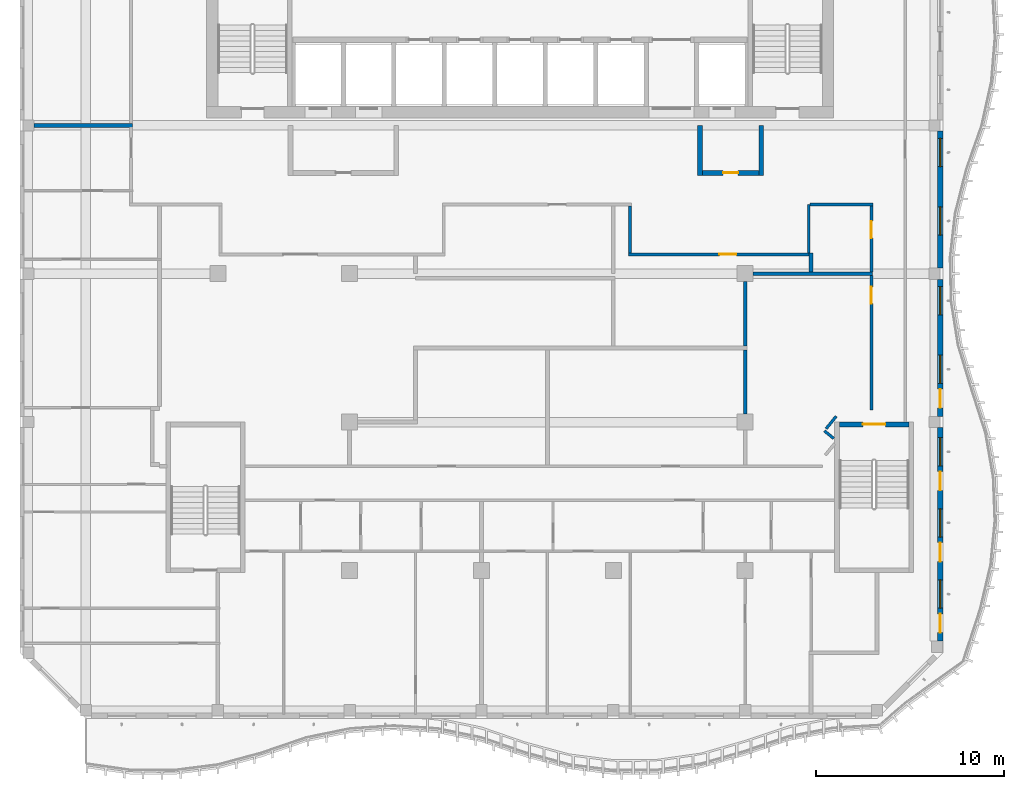
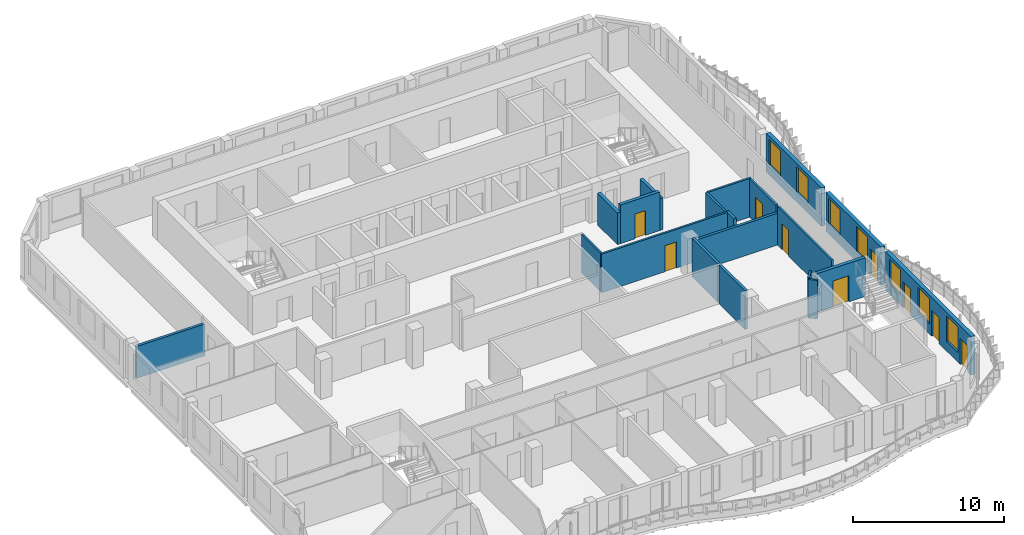
# One storey, part 5 of 17: 20 walls, 9 doors, 7 windows, 16 openings.
"""IFC4 building model written with IfcOpenShell, lengths in metres."""

from ifc_helpers import new_model, si_unit, direction, frame, frame_2d, origin, place, context, subcontext, project, spatial, rectangle, extrude, source, transform, mapped, material, layer, layer_set, type_object, element, fill, save


model = new_model("IFC4")

# Units and contexts
model_context = context("Model", 3, precision=1e-05, world=origin(), true_north=direction((0.0, 1.0)))
body_context = subcontext(model_context, "Body", "Model", "MODEL_VIEW")
ifc_project = project(units=[si_unit("LENGTHUNIT", "METRE"), si_unit("AREAUNIT", "SQUARE_METRE"), si_unit("VOLUMEUNIT", "CUBIC_METRE"), si_unit("PLANEANGLEUNIT", "RADIAN"), si_unit("MASSUNIT", "GRAM", prefix="KILO")], contexts=[model_context])

# Site, building, storey
site_placement = place(None, origin())
site = spatial("IfcSite", under=ifc_project, at=site_placement, CompositionType="ELEMENT")
building_placement = place(site_placement, origin())
building = spatial("IfcBuilding", under=site, at=building_placement, Name="Kilnfold Tower and Market Hall", CompositionType="ELEMENT")
storey_placement = place(building_placement, frame((0.0, 0.0, 298.39990234375)))
storey = spatial("IfcBuildingStorey", under=building, at=storey_placement, Name="L74", CompositionType="ELEMENT", Elevation=298.39990234375)

# Wall
ifc_material_1 = material(Name="Gypsum board on steel studs", Category="steel")
ifc_layer_1 = layer(ifc_material_1, 0.14990234375)
ifc_layer_set_1 = layer_set([ifc_layer_1], Name="Gypsum board on steel studs")
wall_type_1 = type_object("IfcWallType", Name="WALL CORRIDOR 150", PredefinedType="PARTITIONING", material=ifc_layer_set_1)
wall_1_placement = place(storey_placement, frame((16.3798828125, 1.22509765625, 0.0), z_axis=(0.0, 0.0, 1.0), x_axis=(0.0, 1.0, 0.0)))
element("IfcWall", 1, at=wall_1_placement, inside=storey, type_object=wall_type_1, Name="Partition LY45.14", PredefinedType="PARTITIONING", context=body_context, shape_type="SweptSolid", body=[
    extrude(rectangle(XDim=2.574951171875, YDim=0.14990234375, at=frame_2d((1.28759765625, 0.0))), origin(), (0.0, 0.0, 1.0), 3.1201171875),
])

# Wall, opening, door
wall_2_placement = place(storey_placement, frame((6.804931640625, 1.14990234375, 0.0), z_axis=(0.0, 0.0, 1.0), x_axis=(1.0, 0.0, 0.0)))
wall_2 = element("IfcWall", 2, at=wall_2_placement, inside=storey, type_object=wall_type_1, Name="Partition LY45.15", PredefinedType="PARTITIONING", context=body_context, shape_type="SweptSolid", body=[
    extrude(rectangle(XDim=9.594970703125, YDim=0.14990234375, at=frame_2d((4.79736328125, 0.0))), origin(), (0.0, 0.0, 1.0), 3.1201171875),
])
opening_1_placement = place(wall_2_placement, frame((4.827880859375, 0.0, 0.0)))
opening_1 = element("IfcOpeningElement", 3, at=opening_1_placement, cuts=wall_2, Name="Opening D2", PredefinedType="OPENING", context=body_context, shape_type="SweptSolid", body=[
    extrude(rectangle(XDim=0.89990234375, YDim=2.10009765625, at=frame_2d((0.449951171875, 1.050048828125))), frame((0.0, 0.0849609375, 0.0), z_axis=(0.0, -1.0, 0.0), x_axis=(1.0, 0.0, 0.0)), (0.0, 0.0, 1.0), 0.169921875),
])
ifc_material_2 = material(Name="Timber veneer door leaf in steel frame", Category="steel")
door_type_1 = type_object("IfcDoorType", Name="DOOR ROOM 900 X2100", OperationType="NOTDEFINED", PredefinedType="DOOR", material=ifc_material_2)
door_1_placement = place(opening_1_placement, origin())
door_1 = element("IfcDoor", 4, at=door_1_placement, inside=storey, type_object=door_type_1, Name="Door D2", OperationType="SINGLE_SWING_LEFT", OverallHeight=2.10009765625, OverallWidth=0.89990234375, PredefinedType="DOOR", context=body_context, shape_type="SweptSolid", body=[
    extrude(rectangle(XDim=0.89990234375, YDim=2.10009765625, at=frame_2d((0.449951171875, 1.050048828125))), frame((0.0, 0.02490234375, 0.0), z_axis=(0.0, -1.0, 0.0), x_axis=(1.0, 0.0, 0.0)), (0.0, 0.0, 1.0), 0.050048828125),
])
fill(opening_1, door_1)

# Walls
wall_3_placement = place(storey_placement, frame((6.8798828125, 3.72509765625, 0.0), z_axis=(0.0, 0.0, 1.0), x_axis=(0.0, -1.0, 0.0)))
element("IfcWall", 5, at=wall_3_placement, inside=storey, type_object=wall_type_1, Name="Partition LY45.16", PredefinedType="PARTITIONING", context=body_context, shape_type="SweptSolid", body=[
    extrude(rectangle(XDim=2.5, YDim=0.14990234375, at=frame_2d((1.25, 0.0))), origin(), (0.0, 0.0, 1.0), 3.1201171875),
])
wall_4_placement = place(storey_placement, frame((17.2060546875, -8.218017578125, 0.0), z_axis=(0.0, 0.0, 1.0), x_axis=(0.776102288291, -0.630607039376, 0.0)))
element("IfcWall", 6, at=wall_4_placement, inside=storey, type_object=wall_type_1, Name="Partition LY45.18", PredefinedType="PARTITIONING", context=body_context, shape_type="SweptSolid", body=[
    extrude(rectangle(XDim=0.6376953125, YDim=0.14990234375, at=frame_2d((0.31884765625, 0.0))), origin(), (0.0, 0.0, 1.0), 3.1201171875),
])
wall_5_placement = place(storey_placement, frame((17.8349609375, -7.44189453125, 0.0), z_axis=(0.0, 0.0, 1.0), x_axis=(-0.628859024249, -0.777519342281, 0.0)))
element("IfcWall", 7, at=wall_5_placement, inside=storey, type_object=wall_type_1, Name="Partition LY45.19", PredefinedType="PARTITIONING", context=body_context, shape_type="SweptSolid", body=[
    extrude(rectangle(XDim=0.84912109375, YDim=0.14990234375, at=frame_2d((0.424560546875, 0.0))), origin(), (0.0, 0.0, 1.0), 3.1201171875),
])

# Wall, opening, door
wall_6_placement = place(storey_placement, frame((19.699951171875, -7.10009765625, 0.0), z_axis=(0.0, 0.0, 1.0), x_axis=(0.0, 1.0, 0.0)))
wall_6 = element("IfcWall", 8, at=wall_6_placement, inside=storey, type_object=wall_type_1, Name="Partition LY45.20", PredefinedType="PARTITIONING", context=body_context, shape_type="SweptSolid", body=[
    extrude(rectangle(XDim=7.135009765625, YDim=0.14990234375, at=frame_2d((3.5673828125, 0.0))), origin(), (0.0, 0.0, 1.0), 3.1201171875),
])
opening_2_placement = place(wall_6_placement, frame((5.633056640625, 0.0, 0.0)))
opening_2 = element("IfcOpeningElement", 9, at=opening_2_placement, cuts=wall_6, Name="Opening D2", PredefinedType="OPENING", context=body_context, shape_type="SweptSolid", body=[
    extrude(rectangle(XDim=0.89990234375, YDim=2.10009765625, at=frame_2d((0.449951171875, 1.050048828125))), frame((0.0, 0.0849609375, 0.0), z_axis=(0.0, -1.0, 0.0), x_axis=(1.0, 0.0, 0.0)), (0.0, 0.0, 1.0), 0.169921875),
])
door_2_placement = place(opening_2_placement, origin())
door_2 = element("IfcDoor", 10, at=door_2_placement, inside=storey, type_object=door_type_1, Name="Door D2", OperationType="SINGLE_SWING_LEFT", OverallHeight=2.10009765625, OverallWidth=0.89990234375, PredefinedType="DOOR", context=body_context, shape_type="SweptSolid", body=[
    extrude(rectangle(XDim=0.89990234375, YDim=2.10009765625, at=frame_2d((0.449951171875, 1.050048828125))), frame((0.0, 0.02490234375, 0.0), z_axis=(0.0, -1.0, 0.0), x_axis=(1.0, 0.0, 0.0)), (0.0, 0.0, 1.0), 0.050048828125),
])
fill(opening_2, door_2)

wall_7_placement = place(storey_placement, frame((19.699951171875, 0.215087890625, 0.0), z_axis=(0.0, 0.0, 1.0), x_axis=(0.0, 1.0, 0.0)))
wall_7 = element("IfcWall", 11, at=wall_7_placement, inside=storey, type_object=wall_type_1, Name="Partition LY45.21", PredefinedType="PARTITIONING", context=body_context, shape_type="SweptSolid", body=[
    extrude(rectangle(XDim=3.510009765625, YDim=0.14990234375, at=frame_2d((1.7548828125, 0.0))), origin(), (0.0, 0.0, 1.0), 3.1201171875),
])
opening_3_placement = place(wall_7_placement, frame((1.806884765625, 0.0, 0.0)))
opening_3 = element("IfcOpeningElement", 12, at=opening_3_placement, cuts=wall_7, Name="Opening D2", PredefinedType="OPENING", context=body_context, shape_type="SweptSolid", body=[
    extrude(rectangle(XDim=0.89990234375, YDim=2.10009765625, at=frame_2d((0.449951171875, 1.050048828125))), frame((0.0, 0.0849609375, 0.0), z_axis=(0.0, -1.0, 0.0), x_axis=(1.0, 0.0, 0.0)), (0.0, 0.0, 1.0), 0.169921875),
])
door_3_placement = place(opening_3_placement, origin())
door_3 = element("IfcDoor", 13, at=door_3_placement, inside=storey, type_object=door_type_1, Name="Door D2", OperationType="SINGLE_SWING_LEFT", OverallHeight=2.10009765625, OverallWidth=0.89990234375, PredefinedType="DOOR", context=body_context, shape_type="SweptSolid", body=[
    extrude(rectangle(XDim=0.89990234375, YDim=2.10009765625, at=frame_2d((0.449951171875, 1.050048828125))), frame((0.0, 0.02490234375, 0.0), z_axis=(0.0, -1.0, 0.0), x_axis=(1.0, 0.0, 0.0)), (0.0, 0.0, 1.0), 0.050048828125),
])
fill(opening_3, door_3)

# Walls
wall_8_placement = place(storey_placement, frame((16.455078125, 3.800048828125, 0.0), z_axis=(0.0, 0.0, 1.0), x_axis=(1.0, 0.0, 0.0)))
element("IfcWall", 14, at=wall_8_placement, inside=storey, type_object=wall_type_1, Name="Partition LY45.22", PredefinedType="PARTITIONING", context=body_context, shape_type="SweptSolid", body=[
    extrude(rectangle(XDim=3.31982421875, YDim=0.14990234375, at=frame_2d((1.659912109375, 0.0))), origin(), (0.0, 0.0, 1.0), 3.1201171875),
])
ifc_material_3 = material(Name="Gypsum board on steel studs", Category="steel")
ifc_layer_2 = layer(ifc_material_3, 0.199951171875)
ifc_layer_set_2 = layer_set([ifc_layer_2], Name="Gypsum board on steel studs")
wall_type_2 = type_object("IfcWallType", Name="WALL PARTY 200", PredefinedType="PARTITIONING", material=ifc_layer_set_2)
wall_9_placement = place(storey_placement, frame((-19.527099609375, 8.0, 0.0), z_axis=(0.0, 0.0, 1.0), x_axis=(-1.0, 0.0, 0.0)))
element("IfcWall", 15, at=wall_9_placement, inside=storey, type_object=wall_type_2, Name="Partition LY45.39", PredefinedType="PARTITIONING", context=body_context, shape_type="SweptSolid", body=[
    extrude(rectangle(XDim=5.222900390625, YDim=0.199951171875, at=frame_2d((2.611328125, 0.0))), origin(), (0.0, 0.0, 1.0), 2.570068359375),
])
wall_10_placement = place(storey_placement, frame((13.0, -7.324951171875, 0.0), z_axis=(0.0, 0.0, 1.0), x_axis=(0.0, 1.0, 0.0)))
element("IfcWall", 16, at=wall_10_placement, inside=storey, type_object=wall_type_2, Name="Partition LY45.71", PredefinedType="PARTITIONING", context=body_context, shape_type="SweptSolid", body=[
    extrude(rectangle(XDim=3.412841796875, YDim=0.199951171875, at=frame_2d((1.70654296875, 0.0))), origin(), (0.0, 0.0, 1.0), 3.1201171875),
])
wall_11_placement = place(storey_placement, frame((13.425048828125, 0.125, 0.0), z_axis=(0.0, 0.0, 1.0), x_axis=(1.0, 0.0, 0.0)))
element("IfcWall", 17, at=wall_11_placement, inside=storey, type_object=wall_type_2, Name="Partition LY45.73", PredefinedType="PARTITIONING", context=body_context, shape_type="SweptSolid", body=[
    extrude(rectangle(XDim=6.347900390625, YDim=0.199951171875, at=frame_2d((3.173828125, 0.0))), origin(), (0.0, 0.0, 1.0), 2.570068359375),
])
wall_12_placement = place(storey_placement, frame((13.0, -3.7119140625, 0.0), z_axis=(0.0, 0.0, 1.0), x_axis=(0.0, 1.0, 0.0)))
element("IfcWall", 18, at=wall_12_placement, inside=storey, type_object=wall_type_2, Name="Partition LY45.74", PredefinedType="PARTITIONING", context=body_context, shape_type="SweptSolid", body=[
    extrude(rectangle(XDim=3.411865234375, YDim=0.199951171875, at=frame_2d((1.7060546875, 0.0))), origin(), (0.0, 0.0, 1.0), 3.1201171875),
])
wall_13_placement = place(storey_placement, frame((16.5, 0.22509765625, 0.0), z_axis=(0.0, 0.0, 1.0), x_axis=(0.0, 1.0, 0.0)))
element("IfcWall", 19, at=wall_13_placement, inside=storey, type_object=wall_type_2, Name="Partition LY45.75", PredefinedType="PARTITIONING", context=body_context, shape_type="SweptSolid", body=[
    extrude(rectangle(XDim=1.0, YDim=0.199951171875, at=frame_2d((0.5, 0.0))), origin(), (0.0, 0.0, 1.0), 3.1201171875),
])

# Wall, opening, door
ifc_material_4 = material(Name="Concrete C50", Category="concrete")
ifc_layer_3 = layer(ifc_material_4, 0.25)
ifc_layer_set_3 = layer_set([ifc_layer_3], Name="Concrete C50")
wall_type_3 = type_object("IfcWallType", Name="CORE WALL 250 C50", PredefinedType="SHEAR", material=ifc_layer_set_3)
shared_shape_1 = source(origin(), body_context, "Body", "SweptSolid", [
    extrude(rectangle(XDim=3.699951171875, YDim=0.25, at=frame_2d((1.85009765625, 0.0))), origin(), (0.0, 0.0, 1.0), 3.1201171875),
])
wall_14_placement = place(storey_placement, frame((18.0, -7.875, 0.0), z_axis=(0.0, 0.0, 1.0), x_axis=(1.0, 0.0, 0.0)))
wall_14 = element("IfcWall", 20, at=wall_14_placement, inside=storey, type_object=wall_type_3, Name="Stair enclosure ST4", PredefinedType="SHEAR", context=body_context, shape_type="MappedRepresentation", body=[
    mapped(shared_shape_1, transform((0.0, 0.0, 0.0))),
])
opening_4_placement = place(wall_14_placement, frame((1.25, 0.0, 0.0)))
opening_4 = element("IfcOpeningElement", 21, at=opening_4_placement, cuts=wall_14, Name="Opening SD1", PredefinedType="OPENING", context=body_context, shape_type="SweptSolid", body=[
    extrude(rectangle(XDim=1.199951171875, YDim=2.10009765625, at=frame_2d((0.60009765625, 1.050048828125))), frame((0.0, 0.135009765625, 0.0), z_axis=(0.0, -1.0, 0.0), x_axis=(1.0, 0.0, 0.0)), (0.0, 0.0, 1.0), 0.27001953125),
])
ifc_material_5 = material(Name="Steel door set with fire-resisting leaf", Category="steel")
door_type_2 = type_object("IfcDoorType", Name="STAIR FLOOR DOOR 1200X2100", OperationType="NOTDEFINED", PredefinedType="DOOR", material=ifc_material_5)
door_4_placement = place(opening_4_placement, origin())
door_4 = element("IfcDoor", 22, at=door_4_placement, inside=storey, type_object=door_type_2, Name="Exit stair ST4 door", OperationType="DOUBLE_DOOR_SINGLE_SWING", OverallHeight=2.10009765625, OverallWidth=1.199951171875, PredefinedType="DOOR", context=body_context, shape_type="SweptSolid", body=[
    extrude(rectangle(XDim=1.199951171875, YDim=2.10009765625, at=frame_2d((0.60009765625, 1.050048828125))), frame((0.0, 0.02490234375, 0.0), z_axis=(0.0, -1.0, 0.0), x_axis=(1.0, 0.0, 0.0)), (0.0, 0.0, 1.0), 0.050048828125),
])
fill(opening_4, door_4)

# Wall, openings, doors, windows
ifc_material_6 = material(Name="Precast concrete C50/60", Category="concrete")
ifc_layer_4 = layer(ifc_material_6, 0.300048828125)
ifc_layer_set_4 = layer_set([ifc_layer_4], Name="Precast concrete C50/60")
wall_type_4 = type_object("IfcWallType", Name="PRECAST WALL 300", PredefinedType="SOLIDWALL", material=ifc_layer_set_4)
shared_shape_2 = source(origin(), body_context, "Body", "SweptSolid", [
    extrude(rectangle(XDim=11.331787109375, YDim=0.300048828125, at=frame_2d((5.666015625, 0.0))), origin(), (0.0, 0.0, 1.0), 3.1201171875),
])
wall_15_placement = place(storey_placement, frame((23.35009765625, -19.3818359375, 0.0), z_axis=(0.0, 0.0, 1.0), x_axis=(0.0, 1.0, 0.0)))
wall_15 = element("IfcWall", 23, at=wall_15_placement, inside=storey, type_object=wall_type_4, Name="External wall L74 E", PredefinedType="SOLIDWALL", context=body_context, shape_type="MappedRepresentation", body=[
    mapped(shared_shape_2, transform((0.0, 0.0, 0.0))),
])
opening_5_placement = place(wall_15_placement, frame((1.75, 0.0, 0.800048828125)))
opening_5 = element("IfcOpeningElement", 24, at=opening_5_placement, cuts=wall_15, Name="Opening W5", PredefinedType="OPENING", context=body_context, shape_type="SweptSolid", body=[
    extrude(rectangle(XDim=1.5, YDim=2.050048828125, at=frame_2d((0.75, 1.02490234375))), frame((0.0, 0.16015625, 0.0), z_axis=(0.0, -1.0, 0.0), x_axis=(1.0, 0.0, 0.0)), (0.0, 0.0, 1.0), 0.320068359375),
])
opening_6_placement = place(wall_15_placement, frame((0.449951171875, 0.0, 0.0)))
opening_6 = element("IfcOpeningElement", 25, at=opening_6_placement, cuts=wall_15, Name="Opening BD1", PredefinedType="OPENING", context=body_context, shape_type="SweptSolid", body=[
    extrude(rectangle(XDim=1.0, YDim=2.10009765625, at=frame_2d((0.5, 1.050048828125))), frame((0.0, 0.16015625, 0.0), z_axis=(0.0, -1.0, 0.0), x_axis=(1.0, 0.0, 0.0)), (0.0, 0.0, 1.0), 0.320068359375),
])
opening_7_placement = place(wall_15_placement, frame((5.52734375, 0.0, 0.800048828125)))
opening_7 = element("IfcOpeningElement", 26, at=opening_7_placement, cuts=wall_15, Name="Opening W5", PredefinedType="OPENING", context=body_context, shape_type="SweptSolid", body=[
    extrude(rectangle(XDim=1.5, YDim=2.050048828125, at=frame_2d((0.75, 1.02490234375))), frame((0.0, 0.16015625, 0.0), z_axis=(0.0, -1.0, 0.0), x_axis=(1.0, 0.0, 0.0)), (0.0, 0.0, 1.0), 0.320068359375),
])
opening_8_placement = place(wall_15_placement, frame((4.227294921875, 0.0, 0.0)))
opening_8 = element("IfcOpeningElement", 27, at=opening_8_placement, cuts=wall_15, Name="Opening BD1", PredefinedType="OPENING", context=body_context, shape_type="SweptSolid", body=[
    extrude(rectangle(XDim=1.0, YDim=2.10009765625, at=frame_2d((0.5, 1.050048828125))), frame((0.0, 0.16015625, 0.0), z_axis=(0.0, -1.0, 0.0), x_axis=(1.0, 0.0, 0.0)), (0.0, 0.0, 1.0), 0.320068359375),
])
opening_9_placement = place(wall_15_placement, frame((9.304443359375, 0.0, 0.800048828125)))
opening_9 = element("IfcOpeningElement", 28, at=opening_9_placement, cuts=wall_15, Name="Opening W5", PredefinedType="OPENING", context=body_context, shape_type="SweptSolid", body=[
    extrude(rectangle(XDim=1.5, YDim=2.050048828125, at=frame_2d((0.75, 1.02490234375))), frame((0.0, 0.16015625, 0.0), z_axis=(0.0, -1.0, 0.0), x_axis=(1.0, 0.0, 0.0)), (0.0, 0.0, 1.0), 0.320068359375),
])
opening_10_placement = place(wall_15_placement, frame((8.00439453125, 0.0, 0.0)))
opening_10 = element("IfcOpeningElement", 29, at=opening_10_placement, cuts=wall_15, Name="Opening BD1", PredefinedType="OPENING", context=body_context, shape_type="SweptSolid", body=[
    extrude(rectangle(XDim=1.0, YDim=2.10009765625, at=frame_2d((0.5, 1.050048828125))), frame((0.0, 0.16015625, 0.0), z_axis=(0.0, -1.0, 0.0), x_axis=(1.0, 0.0, 0.0)), (0.0, 0.0, 1.0), 0.320068359375),
])
ifc_material_7 = material(Name="Aluminium frame and double glazing", Category="aluminium")
door_type_3 = type_object("IfcDoorType", Name="BALCONY DOOR 1000X2100", OperationType="NOTDEFINED", PredefinedType="DOOR", material=ifc_material_7)
door_5_placement = place(opening_6_placement, origin())
door_5 = element("IfcDoor", 30, at=door_5_placement, inside=storey, type_object=door_type_3, Name="Balcony door BD1 L74 E-1", OperationType="SINGLE_SWING_LEFT", OverallHeight=2.10009765625, OverallWidth=1.0, PredefinedType="DOOR", context=body_context, shape_type="SweptSolid", body=[
    extrude(rectangle(XDim=1.0, YDim=2.10009765625, at=frame_2d((0.5, 1.050048828125))), frame((0.0, 0.02490234375, 0.0), z_axis=(0.0, -1.0, 0.0), x_axis=(1.0, 0.0, 0.0)), (0.0, 0.0, 1.0), 0.050048828125),
])
fill(opening_6, door_5)
door_6_placement = place(opening_8_placement, origin())
door_6 = element("IfcDoor", 31, at=door_6_placement, inside=storey, type_object=door_type_3, Name="Balcony door BD1 L74 E-2", OperationType="SINGLE_SWING_RIGHT", OverallHeight=2.10009765625, OverallWidth=1.0, PredefinedType="DOOR", context=body_context, shape_type="SweptSolid", body=[
    extrude(rectangle(XDim=1.0, YDim=2.10009765625, at=frame_2d((0.5, 1.050048828125))), frame((0.0, 0.02490234375, 0.0), z_axis=(0.0, -1.0, 0.0), x_axis=(1.0, 0.0, 0.0)), (0.0, 0.0, 1.0), 0.050048828125),
])
fill(opening_8, door_6)
door_7_placement = place(opening_10_placement, origin())
door_7 = element("IfcDoor", 32, at=door_7_placement, inside=storey, type_object=door_type_3, Name="Balcony door BD1 L74 E-3", OperationType="SINGLE_SWING_LEFT", OverallHeight=2.10009765625, OverallWidth=1.0, PredefinedType="DOOR", context=body_context, shape_type="SweptSolid", body=[
    extrude(rectangle(XDim=1.0, YDim=2.10009765625, at=frame_2d((0.5, 1.050048828125))), frame((0.0, 0.02490234375, 0.0), z_axis=(0.0, -1.0, 0.0), x_axis=(1.0, 0.0, 0.0)), (0.0, 0.0, 1.0), 0.050048828125),
])
fill(opening_10, door_7)
ifc_material_8 = material(Name="Aluminium frame and double glazing", Category="aluminium")
window_type = type_object("IfcWindowType", Name="WINDOW W5 1500X2050", PartitioningType="SINGLE_PANEL", PredefinedType="WINDOW", material=ifc_material_8)
window_1_placement = place(opening_5_placement, origin())
window_1 = element("IfcWindow", 33, at=window_1_placement, inside=storey, type_object=window_type, Name="Window W5 L74 E-1", OverallHeight=2.050048828125, OverallWidth=1.5, PartitioningType="SINGLE_PANEL", PredefinedType="WINDOW", context=body_context, shape_type="SweptSolid", body=[
    extrude(rectangle(XDim=1.5, YDim=2.050048828125, at=frame_2d((0.75, 1.02490234375))), frame((0.0, 0.030029296875, 0.0), z_axis=(0.0, -1.0, 0.0), x_axis=(1.0, 0.0, 0.0)), (0.0, 0.0, 1.0), 0.06005859375),
])
fill(opening_5, window_1)
window_2_placement = place(opening_7_placement, origin())
window_2 = element("IfcWindow", 34, at=window_2_placement, inside=storey, type_object=window_type, Name="Window W5 L74 E-2", OverallHeight=2.050048828125, OverallWidth=1.5, PartitioningType="SINGLE_PANEL", PredefinedType="WINDOW", context=body_context, shape_type="SweptSolid", body=[
    extrude(rectangle(XDim=1.5, YDim=2.050048828125, at=frame_2d((0.75, 1.02490234375))), frame((0.0, 0.030029296875, 0.0), z_axis=(0.0, -1.0, 0.0), x_axis=(1.0, 0.0, 0.0)), (0.0, 0.0, 1.0), 0.06005859375),
])
fill(opening_7, window_2)
window_3_placement = place(opening_9_placement, origin())
window_3 = element("IfcWindow", 35, at=window_3_placement, inside=storey, type_object=window_type, Name="Window W5 L74 E-3", OverallHeight=2.050048828125, OverallWidth=1.5, PartitioningType="SINGLE_PANEL", PredefinedType="WINDOW", context=body_context, shape_type="SweptSolid", body=[
    extrude(rectangle(XDim=1.5, YDim=2.050048828125, at=frame_2d((0.75, 1.02490234375))), frame((0.0, 0.030029296875, 0.0), z_axis=(0.0, -1.0, 0.0), x_axis=(1.0, 0.0, 0.0)), (0.0, 0.0, 1.0), 0.06005859375),
])
fill(opening_9, window_3)

# Wall, openings, door, windows
shared_shape_3 = source(origin(), body_context, "Body", "SweptSolid", [
    extrude(rectangle(XDim=7.27490234375, YDim=0.300048828125, at=frame_2d((3.637451171875, 0.0))), origin(), (0.0, 0.0, 1.0), 3.1201171875),
])
wall_16_placement = place(storey_placement, frame((23.35009765625, -7.449951171875, 0.0), z_axis=(0.0, 0.0, 1.0), x_axis=(0.0, 1.0, 0.0)))
wall_16 = element("IfcWall", 36, at=wall_16_placement, inside=storey, type_object=wall_type_4, Name="External wall L74 E", PredefinedType="SOLIDWALL", context=body_context, shape_type="MappedRepresentation", body=[
    mapped(shared_shape_3, transform((0.0, 0.0, 0.0))),
])
opening_11_placement = place(wall_16_placement, frame((1.75, 0.0, 0.800048828125)))
opening_11 = element("IfcOpeningElement", 37, at=opening_11_placement, cuts=wall_16, Name="Opening W5", PredefinedType="OPENING", context=body_context, shape_type="SweptSolid", body=[
    extrude(rectangle(XDim=1.5, YDim=2.050048828125, at=frame_2d((0.75, 1.02490234375))), frame((0.0, 0.16015625, 0.0), z_axis=(0.0, -1.0, 0.0), x_axis=(1.0, 0.0, 0.0)), (0.0, 0.0, 1.0), 0.320068359375),
])
opening_12_placement = place(wall_16_placement, frame((0.449951171875, 0.0, 0.0)))
opening_12 = element("IfcOpeningElement", 38, at=opening_12_placement, cuts=wall_16, Name="Opening BD1", PredefinedType="OPENING", context=body_context, shape_type="SweptSolid", body=[
    extrude(rectangle(XDim=1.0, YDim=2.10009765625, at=frame_2d((0.5, 1.050048828125))), frame((0.0, 0.16015625, 0.0), z_axis=(0.0, -1.0, 0.0), x_axis=(1.0, 0.0, 0.0)), (0.0, 0.0, 1.0), 0.320068359375),
])
opening_13_placement = place(wall_16_placement, frame((5.387451171875, 0.0, 0.800048828125)))
opening_13 = element("IfcOpeningElement", 39, at=opening_13_placement, cuts=wall_16, Name="Opening W5", PredefinedType="OPENING", context=body_context, shape_type="SweptSolid", body=[
    extrude(rectangle(XDim=1.5, YDim=2.050048828125, at=frame_2d((0.75, 1.02490234375))), frame((0.0, 0.16015625, 0.0), z_axis=(0.0, -1.0, 0.0), x_axis=(1.0, 0.0, 0.0)), (0.0, 0.0, 1.0), 0.320068359375),
])
door_8_placement = place(opening_12_placement, origin())
door_8 = element("IfcDoor", 40, at=door_8_placement, inside=storey, type_object=door_type_3, Name="Balcony door BD1 L74 E-1", OperationType="SINGLE_SWING_LEFT", OverallHeight=2.10009765625, OverallWidth=1.0, PredefinedType="DOOR", context=body_context, shape_type="SweptSolid", body=[
    extrude(rectangle(XDim=1.0, YDim=2.10009765625, at=frame_2d((0.5, 1.050048828125))), frame((0.0, 0.02490234375, 0.0), z_axis=(0.0, -1.0, 0.0), x_axis=(1.0, 0.0, 0.0)), (0.0, 0.0, 1.0), 0.050048828125),
])
fill(opening_12, door_8)
window_4_placement = place(opening_11_placement, origin())
window_4 = element("IfcWindow", 41, at=window_4_placement, inside=storey, type_object=window_type, Name="Window W5 L74 E-1", OverallHeight=2.050048828125, OverallWidth=1.5, PartitioningType="SINGLE_PANEL", PredefinedType="WINDOW", context=body_context, shape_type="SweptSolid", body=[
    extrude(rectangle(XDim=1.5, YDim=2.050048828125, at=frame_2d((0.75, 1.02490234375))), frame((0.0, 0.030029296875, 0.0), z_axis=(0.0, -1.0, 0.0), x_axis=(1.0, 0.0, 0.0)), (0.0, 0.0, 1.0), 0.06005859375),
])
fill(opening_11, window_4)
window_5_placement = place(opening_13_placement, origin())
window_5 = element("IfcWindow", 42, at=window_5_placement, inside=storey, type_object=window_type, Name="Window W5 L74 E-2", OverallHeight=2.050048828125, OverallWidth=1.5, PartitioningType="SINGLE_PANEL", PredefinedType="WINDOW", context=body_context, shape_type="SweptSolid", body=[
    extrude(rectangle(XDim=1.5, YDim=2.050048828125, at=frame_2d((0.75, 1.02490234375))), frame((0.0, 0.030029296875, 0.0), z_axis=(0.0, -1.0, 0.0), x_axis=(1.0, 0.0, 0.0)), (0.0, 0.0, 1.0), 0.06005859375),
])
fill(opening_13, window_5)

# Wall, openings, windows
wall_17_placement = place(storey_placement, frame((23.35009765625, 0.425048828125, 0.0), z_axis=(0.0, 0.0, 1.0), x_axis=(0.0, 1.0, 0.0)))
wall_17 = element("IfcWall", 43, at=wall_17_placement, inside=storey, type_object=wall_type_4, Name="External wall L74 E", PredefinedType="SOLIDWALL", context=body_context, shape_type="MappedRepresentation", body=[
    mapped(shared_shape_3, transform((0.0, 0.0, 0.0))),
])
opening_14_placement = place(wall_17_placement, frame((1.75, 0.0, 0.800048828125)))
opening_14 = element("IfcOpeningElement", 44, at=opening_14_placement, cuts=wall_17, Name="Opening W5", PredefinedType="OPENING", context=body_context, shape_type="SweptSolid", body=[
    extrude(rectangle(XDim=1.5, YDim=2.050048828125, at=frame_2d((0.75, 1.02490234375))), frame((0.0, 0.16015625, 0.0), z_axis=(0.0, -1.0, 0.0), x_axis=(1.0, 0.0, 0.0)), (0.0, 0.0, 1.0), 0.320068359375),
])
opening_15_placement = place(wall_17_placement, frame((5.387451171875, 0.0, 0.800048828125)))
opening_15 = element("IfcOpeningElement", 45, at=opening_15_placement, cuts=wall_17, Name="Opening W5", PredefinedType="OPENING", context=body_context, shape_type="SweptSolid", body=[
    extrude(rectangle(XDim=1.5, YDim=2.050048828125, at=frame_2d((0.75, 1.02490234375))), frame((0.0, 0.16015625, 0.0), z_axis=(0.0, -1.0, 0.0), x_axis=(1.0, 0.0, 0.0)), (0.0, 0.0, 1.0), 0.320068359375),
])
window_6_placement = place(opening_14_placement, origin())
window_6 = element("IfcWindow", 46, at=window_6_placement, inside=storey, type_object=window_type, Name="Window W5 L74 E-1", OverallHeight=2.050048828125, OverallWidth=1.5, PartitioningType="SINGLE_PANEL", PredefinedType="WINDOW", context=body_context, shape_type="SweptSolid", body=[
    extrude(rectangle(XDim=1.5, YDim=2.050048828125, at=frame_2d((0.75, 1.02490234375))), frame((0.0, 0.030029296875, 0.0), z_axis=(0.0, -1.0, 0.0), x_axis=(1.0, 0.0, 0.0)), (0.0, 0.0, 1.0), 0.06005859375),
])
fill(opening_14, window_6)
window_7_placement = place(opening_15_placement, origin())
window_7 = element("IfcWindow", 47, at=window_7_placement, inside=storey, type_object=window_type, Name="Window W5 L74 E-2", OverallHeight=2.050048828125, OverallWidth=1.5, PartitioningType="SINGLE_PANEL", PredefinedType="WINDOW", context=body_context, shape_type="SweptSolid", body=[
    extrude(rectangle(XDim=1.5, YDim=2.050048828125, at=frame_2d((0.75, 1.02490234375))), frame((0.0, 0.030029296875, 0.0), z_axis=(0.0, -1.0, 0.0), x_axis=(1.0, 0.0, 0.0)), (0.0, 0.0, 1.0), 0.06005859375),
])
fill(opening_15, window_7)

# Wall, opening, door
ifc_material_9 = material(Name="Gypsum shaft wall system")
ifc_layer_5 = layer(ifc_material_9, 0.25)
ifc_layer_set_5 = layer_set([ifc_layer_5], Name="Gypsum shaft wall system")
wall_type_5 = type_object("IfcWallType", Name="LOBBY WALL 250", PredefinedType="PARTITIONING", material=ifc_layer_set_5)
shared_shape_4 = source(origin(), body_context, "Body", "SweptSolid", [
    extrude(rectangle(XDim=3.0, YDim=0.25, at=frame_2d((1.5, 0.0))), origin(), (0.0, 0.0, 1.0), 3.1201171875),
])
wall_18_placement = place(storey_placement, frame((10.72998046875, 5.47509765625, 0.0), z_axis=(0.0, 0.0, 1.0), x_axis=(1.0, 0.0, 0.0)))
wall_18 = element("IfcWall", 48, at=wall_18_placement, inside=storey, type_object=wall_type_5, Name="Firefighting lobby wall", PredefinedType="PARTITIONING", context=body_context, shape_type="MappedRepresentation", body=[
    mapped(shared_shape_4, transform((0.0, 0.0, 0.0))),
])
opening_16_placement = place(wall_18_placement, frame((1.10009765625, 0.0, 0.0)))
opening_16 = element("IfcOpeningElement", 49, at=opening_16_placement, cuts=wall_18, Name="Opening VD1", PredefinedType="OPENING", context=body_context, shape_type="SweptSolid", body=[
    extrude(rectangle(XDim=0.800048828125, YDim=2.0, at=frame_2d((0.39990234375, 1.0))), frame((0.0, 0.135009765625, 0.0), z_axis=(0.0, -1.0, 0.0), x_axis=(1.0, 0.0, 0.0)), (0.0, 0.0, 1.0), 0.27001953125),
])
ifc_material_10 = material(Name="Steel door set with fire-resisting leaf", Category="steel")
door_type_4 = type_object("IfcDoorType", Name="FIREFIGHTING LOBBY DOOR 800X2000", OperationType="NOTDEFINED", PredefinedType="DOOR", material=ifc_material_10)
door_9_placement = place(opening_16_placement, origin())
door_9 = element("IfcDoor", 50, at=door_9_placement, inside=storey, type_object=door_type_4, Name="Firefighting lobby door", OperationType="SINGLE_SWING_RIGHT", OverallHeight=2.0, OverallWidth=0.800048828125, PredefinedType="DOOR", context=body_context, shape_type="SweptSolid", body=[
    extrude(rectangle(XDim=0.800048828125, YDim=2.0, at=frame_2d((0.39990234375, 1.0))), frame((0.0, 0.02490234375, 0.0), z_axis=(0.0, -1.0, 0.0), x_axis=(1.0, 0.0, 0.0)), (0.0, 0.0, 1.0), 0.050048828125),
])
fill(opening_16, door_9)

# Walls
shared_shape_5 = source(origin(), body_context, "Body", "SweptSolid", [
    extrude(rectangle(XDim=2.64990234375, YDim=0.25, at=frame_2d((1.324951171875, 0.0))), origin(), (0.0, 0.0, 1.0), 2.570068359375),
])
for number, where, z_axis, x_axis, name in (
    (51, (10.60498046875, 5.35009765625, 0.0), (0.0, 0.0, 1.0), (0.0, 1.0, 0.0), "Firefighting lobby wall"),
    (52, (13.85498046875, 5.35009765625, 0.0), (0.0, 0.0, 1.0), (0.0, 1.0, 0.0), "Firefighting lobby wall"),
):
    element("IfcWall", number, at=place(storey_placement, frame(where, z_axis=z_axis, x_axis=x_axis)), inside=storey, type_object=wall_type_5, Name=name, PredefinedType="PARTITIONING", context=body_context, shape_type="MappedRepresentation", body=[
        mapped(shared_shape_5, transform((0.0, 0.0, 0.0))),
    ])

save(model, "model.ifc")
